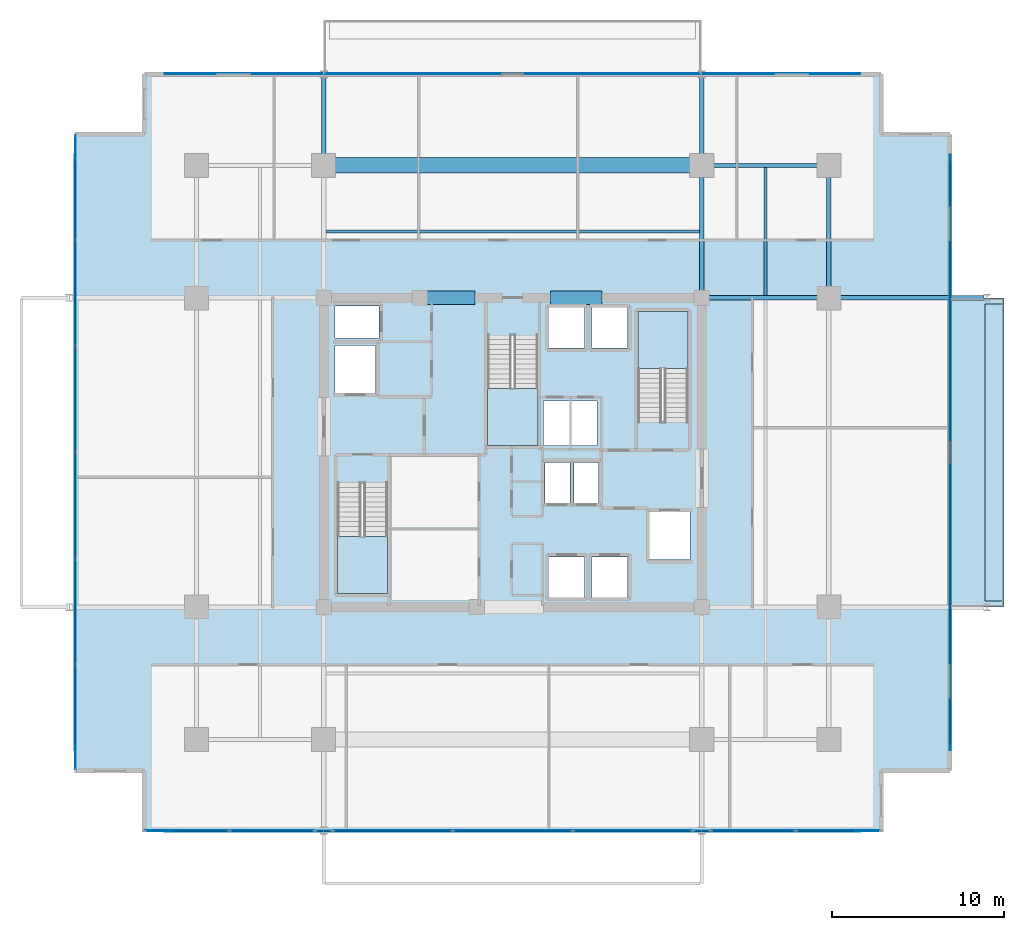
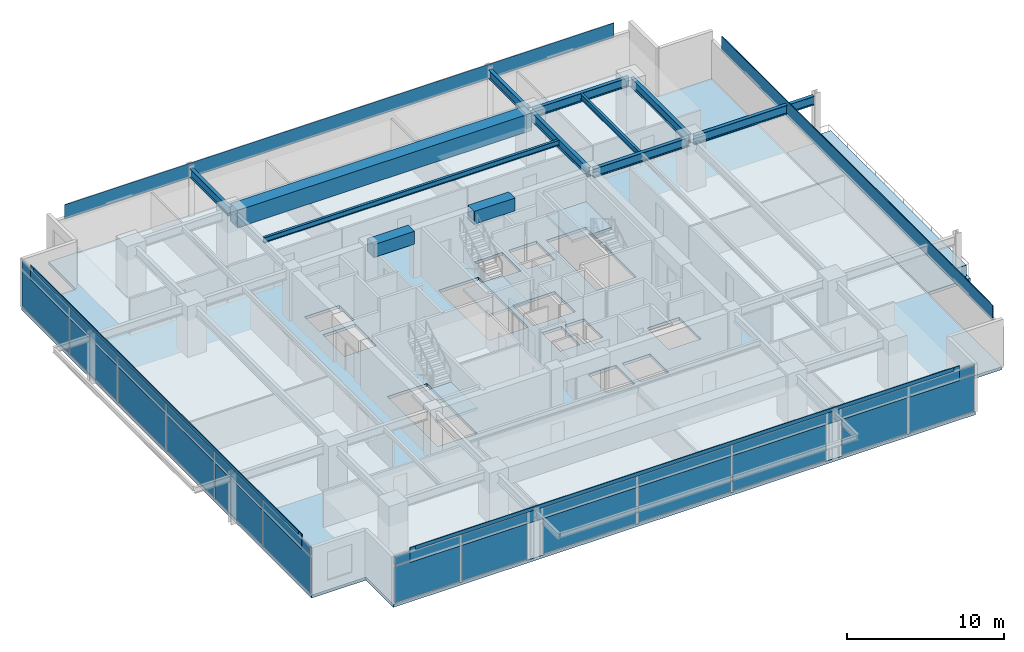
# One storey, part 13 of 21: 33 plates, 12 beams, 6 slabs, 7 elements without a shape of their own.
"""IFC4 building model written with IfcOpenShell, lengths in metres."""

from ifc_helpers import new_model, si_unit, direction, frame, origin, origin_2d, place, context, subcontext, project, spatial, polyline, rectangle, i_section, outline, extrude, material, layer, layer_set, material_profile, profile_set, type_object, element, aggregate, save


model = new_model("IFC4")

# Units and contexts
model_context = context("Model", 3, precision=1e-05, world=origin(), true_north=direction((0.0, 1.0)))
body_context = subcontext(model_context, "Body", "Model", "MODEL_VIEW")
ifc_project = project(units=[si_unit("LENGTHUNIT", "METRE"), si_unit("AREAUNIT", "SQUARE_METRE"), si_unit("VOLUMEUNIT", "CUBIC_METRE"), si_unit("PLANEANGLEUNIT", "RADIAN"), si_unit("MASSUNIT", "GRAM", prefix="KILO")], contexts=[model_context])

# Site, building, storey
site_placement = place(None, origin())
site = spatial("IfcSite", under=ifc_project, at=site_placement, CompositionType="ELEMENT")
building_placement = place(site_placement, origin())
building = spatial("IfcBuilding", under=site, at=building_placement, Name="Kovane Verandah Tower", CompositionType="ELEMENT")
storey_placement = place(building_placement, frame((0.0, 0.0, 217.199951171875)))
storey = spatial("IfcBuildingStorey", under=building, at=storey_placement, Name="L50", CompositionType="ELEMENT", Elevation=217.199951171875)

# Beams
ifc_material_1 = material(Name="Concrete C60/75", Category="concrete")
ifc_material_profile_1 = material_profile(ifc_material_1, rectangle(XDim=0.800048828125, YDim=1.0, at=origin_2d()), Name="RCB800x1000")
ifc_profile_set_1 = profile_set([ifc_material_profile_1], Name="Concrete C60/75")
beam_type_1 = type_object("IfcBeamType", Name="BM-LINTEL-800x1000", PredefinedType="LINTEL", material=ifc_profile_set_1)
for number, where, z_axis, x_axis, name in (
    (1, (34.800048828125, 36.5, 3.275146484375), (1.0, 0.0, 0.0), (0.0, 1.0, 0.0), "L50 Core Coupling Lintel CL-N1"),
    (2, (42.199951171875, 36.5, 3.275146484375), (1.0, 0.0, 0.0), (0.0, 1.0, 0.0), "L50 Core Coupling Lintel CL-N2"),
):
    element("IfcBeam", number, at=place(storey_placement, frame(where, z_axis=z_axis, x_axis=x_axis)), inside=storey, type_object=beam_type_1, Name=name, PredefinedType="LINTEL", context=body_context, shape_type="SweptSolid", body=[
        extrude(rectangle(XDim=0.800048828125, YDim=1.0, at=origin_2d()), origin(), (0.0, 0.0, 1.0), 3.0),
    ])
ifc_material_2 = material(Name="Concrete C80/95", Category="concrete")
ifc_material_profile_2 = material_profile(ifc_material_2, rectangle(XDim=0.89990234375, YDim=1.35009765625, at=origin_2d()), Name="RCB900x1350")
ifc_profile_set_2 = profile_set([ifc_material_profile_2], Name="Concrete C80/95")
beam_type_2 = type_object("IfcBeamType", Name="BM-TR-900x1350", PredefinedType="BEAM", material=ifc_profile_set_2)
beam_1_placement = place(storey_placement, frame((29.179931640625, 44.199951171875, 3.10009765625), z_axis=(1.0, 0.0, 0.0), x_axis=(0.0, 1.0, 0.0)))
element("IfcBeam", 3, at=beam_1_placement, inside=storey, type_object=beam_type_2, Name="L50 Primary Tower Girder G-RN2", PredefinedType="BEAM", context=body_context, shape_type="SweptSolid", body=[
    extrude(rectangle(XDim=0.89990234375, YDim=1.35009765625, at=origin_2d()), origin(), (0.0, 0.0, 1.0), 21.64013671875),
])
ifc_material_3 = material(Name="Steel S355", Category="steel")
ifc_material_profile_3 = material_profile(ifc_material_3, i_section(OverallWidth=0.255859375, OverallDepth=0.69287109375, WebThickness=0.014404296875, FlangeThickness=0.023681640625, FilletRadius=0.01513671875, at=origin_2d()), Name="UB686x254x170")
ifc_profile_set_3 = profile_set([ifc_material_profile_3], Name="Steel S355")
beam_type_3 = type_object("IfcBeamType", Name="BM-UB686x170", PredefinedType="BEAM", material=ifc_profile_set_3)
beam_2_placement = place(storey_placement, frame((51.179931640625, 44.199951171875, 3.428466796875), z_axis=(1.0, 0.0, 0.0), x_axis=(0.0, 1.0, 0.0)))
element("IfcBeam", 4, at=beam_2_placement, inside=storey, type_object=beam_type_3, Name="L50 Primary Tower Girder G-RN3", PredefinedType="BEAM", context=body_context, shape_type="SweptSolid", body=[
    extrude(i_section(OverallWidth=0.255859375, OverallDepth=0.69287109375, WebThickness=0.014404296875, FlangeThickness=0.023681640625, FilletRadius=0.01513671875, at=origin_2d()), origin(), (0.0, 0.0, 1.0), 7.0400390625),
])
beam_3_placement = place(storey_placement, frame((58.39990234375, 36.679931640625, 3.428466796875), z_axis=(0.0, 1.0, 0.0), x_axis=(-1.0, 0.0, 0.0)))
element("IfcBeam", 5, at=beam_3_placement, inside=storey, type_object=beam_type_3, Name="L50 Primary Tower Girder G-RE3", PredefinedType="BEAM", context=body_context, shape_type="SweptSolid", body=[
    extrude(i_section(OverallWidth=0.255859375, OverallDepth=0.69287109375, WebThickness=0.014404296875, FlangeThickness=0.023681640625, FilletRadius=0.01513671875, at=origin_2d()), origin(), (0.0, 0.0, 1.0), 7.340087890625),
])
beam_4_placement = place(storey_placement, frame((51.179931640625, 36.5, 3.428466796875), z_axis=(1.0, 0.0, 0.0), x_axis=(0.0, 1.0, 0.0)))
element("IfcBeam", 6, at=beam_4_placement, inside=storey, type_object=beam_type_3, Name="L50 Primary Tower Girder G-E2", PredefinedType="BEAM", context=body_context, shape_type="SweptSolid", body=[
    extrude(i_section(OverallWidth=0.255859375, OverallDepth=0.69287109375, WebThickness=0.014404296875, FlangeThickness=0.023681640625, FilletRadius=0.01513671875, at=origin_2d()), origin(), (0.0, 0.0, 1.0), 7.0400390625),
])
beam_5_placement = place(storey_placement, frame((51.0, 36.679931640625, 3.428466796875), z_axis=(0.0, 1.0, 0.0), x_axis=(-1.0, 0.0, 0.0)))
element("IfcBeam", 7, at=beam_5_placement, inside=storey, type_object=beam_type_3, Name="L50 Primary Tower Girder G-N2", PredefinedType="BEAM", context=body_context, shape_type="SweptSolid", body=[
    extrude(i_section(OverallWidth=0.255859375, OverallDepth=0.69287109375, WebThickness=0.014404296875, FlangeThickness=0.023681640625, FilletRadius=0.01513671875, at=origin_2d()), origin(), (0.0, 0.0, 1.0), 7.340087890625),
])
beam_6_placement = place(storey_placement, frame((58.580078125, 36.5, 3.41357421875), z_axis=(1.0, 0.0, 0.0), x_axis=(0.0, 1.0, 0.0)))
element("IfcBeam", 8, at=beam_6_placement, inside=storey, type_object=beam_type_3, Name="L50 Primary Tower Girder G-VE2", PredefinedType="BEAM", context=body_context, shape_type="SweptSolid", body=[
    extrude(i_section(OverallWidth=0.255859375, OverallDepth=0.69287109375, WebThickness=0.014404296875, FlangeThickness=0.023681640625, FilletRadius=0.01513671875, at=origin_2d()), origin(), (0.0, 0.0, 1.0), 8.83984375),
])
for number, where, z_axis, x_axis, name in (
    (9, (29.0, 44.3798828125, 3.41357421875), (0.0, 1.0, 0.0), (-1.0, 0.0, 0.0), "L50 Primary Tower Girder G-VN1"),
    (10, (51.0, 44.3798828125, 3.41357421875), (0.0, 1.0, 0.0), (-1.0, 0.0, 0.0), "L50 Primary Tower Girder G-VN2"),
):
    element("IfcBeam", number, at=place(storey_placement, frame(where, z_axis=z_axis, x_axis=x_axis)), inside=storey, type_object=beam_type_3, Name=name, PredefinedType="BEAM", context=body_context, shape_type="SweptSolid", body=[
        extrude(i_section(OverallWidth=0.255859375, OverallDepth=0.69287109375, WebThickness=0.014404296875, FlangeThickness=0.023681640625, FilletRadius=0.01513671875, at=origin_2d()), origin(), (0.0, 0.0, 1.0), 4.940185546875),
    ])
ifc_material_profile_4 = material_profile(ifc_material_3, i_section(OverallWidth=0.179443359375, OverallDepth=0.412841796875, WebThickness=0.009521484375, FlangeThickness=0.01611328125, FilletRadius=0.01025390625, at=origin_2d()), Name="UB406x178x74")
ifc_profile_set_4 = profile_set([ifc_material_profile_4], Name="Steel S355")
beam_type_4 = type_object("IfcBeamType", Name="JST-UB406x74", PredefinedType="JOIST", material=ifc_profile_set_4)
beam_7_placement = place(storey_placement, frame((29.1259765625, 40.35009765625, 3.568603515625), z_axis=(1.0, 0.0, 0.0), x_axis=(0.0, 1.0, 0.0)))
element("IfcBeam", 11, at=beam_7_placement, inside=storey, type_object=beam_type_4, Name="L50 Secondary Composite Joist J-N1", PredefinedType="JOIST", context=body_context, shape_type="SweptSolid", body=[
    extrude(i_section(OverallWidth=0.179443359375, OverallDepth=0.412841796875, WebThickness=0.009521484375, FlangeThickness=0.01611328125, FilletRadius=0.01025390625, at=origin_2d()), origin(), (0.0, 0.0, 1.0), 21.748046875),
])
beam_8_placement = place(storey_placement, frame((54.699951171875, 36.6259765625, 3.568603515625), z_axis=(0.0, 1.0, 0.0), x_axis=(-1.0, 0.0, 0.0)))
element("IfcBeam", 12, at=beam_8_placement, inside=storey, type_object=beam_type_4, Name="L50 Secondary Composite Joist J-NE1", PredefinedType="JOIST", context=body_context, shape_type="SweptSolid", body=[
    extrude(i_section(OverallWidth=0.179443359375, OverallDepth=0.412841796875, WebThickness=0.009521484375, FlangeThickness=0.01611328125, FilletRadius=0.01025390625, at=origin_2d()), origin(), (0.0, 0.0, 1.0), 7.4482421875),
])

# Curtain wall, plates
ifc_material_4 = material(Name="Champagne Anodised Aluminium Frame with Low-E Clear Laminated Glass", Category="aluminium")
curtain_wall_type = type_object("IfcCurtainWallType", Name="CW-SYS-03-MID", PredefinedType="NOTDEFINED", material=ifc_material_4)
curtain_wall_1_placement = place(storey_placement, origin())
curtain_wall_1 = element("IfcCurtainWall", 13, at=curtain_wall_1_placement, inside=storey, type_object=curtain_wall_type, Name="L50 S Unitised Curtain Wall-1", PredefinedType="NOTDEFINED")
ifc_material_5 = material(Name="Pale Champagne Anodised Aluminium Insulated Spandrel", Category="aluminium")
ifc_layer_1 = layer(ifc_material_5, 0.0400390625)
ifc_layer_set_1 = layer_set([ifc_layer_1], Name="Pale Champagne Anodised Aluminium Insulated Spandrel")
plate_type_1 = type_object("IfcPlateType", Name="PL-CW-SPD-40", PredefinedType="SHEET", material=ifc_layer_set_1)
plate_1_placement = place(storey_placement, frame((21.0419921875, 5.485595703125, 3.044921875), z_axis=(0.0, 0.0, 1.0), x_axis=(1.0, 0.0, 0.0)))
plate_1 = element("IfcPlate", 14, at=plate_1_placement, type_object=plate_type_1, Name="L50 S Unitised Curtain Wall-1 Spandrel Panel 1", PredefinedType="SHEET", context=body_context, shape_type="SweptSolid", body=[
    extrude(rectangle(XDim=4.818603515625, YDim=0.0400390625, at=origin_2d()), origin(), (0.0, 0.0, 1.0), 0.639892578125),
])
plate_2_placement = place(storey_placement, frame((26.000732421875, 5.485595703125, 3.044921875), z_axis=(0.0, 0.0, 1.0), x_axis=(1.0, 0.0, 0.0)))
plate_2 = element("IfcPlate", 15, at=plate_2_placement, type_object=plate_type_1, Name="L50 S Unitised Curtain Wall-1 Spandrel Panel 2", PredefinedType="SHEET", context=body_context, shape_type="SweptSolid", body=[
    extrude(rectangle(XDim=4.818603515625, YDim=0.0400390625, at=origin_2d()), origin(), (0.0, 0.0, 1.0), 0.639892578125),
])

curtain_wall_2_placement = place(storey_placement, origin())
curtain_wall_2 = element("IfcCurtainWall", 16, at=curtain_wall_2_placement, inside=storey, type_object=curtain_wall_type, Name="L50 S Unitised Curtain Wall-2", PredefinedType="NOTDEFINED")
plate_3_placement = place(storey_placement, frame((33.01318359375, 5.485595703125, 3.044921875), z_axis=(0.0, 0.0, 1.0), x_axis=(1.0, 0.0, 0.0)))
plate_3 = element("IfcPlate", 17, at=plate_3_placement, type_object=plate_type_1, Name="L50 S Unitised Curtain Wall-2 Spandrel Panel 1", PredefinedType="SHEET", context=body_context, shape_type="SweptSolid", body=[
    extrude(rectangle(XDim=6.8466796875, YDim=0.0400390625, at=origin_2d()), origin(), (0.0, 0.0, 1.0), 0.639892578125),
])
plate_4_placement = place(storey_placement, frame((40.0, 5.485595703125, 3.044921875), z_axis=(0.0, 0.0, 1.0), x_axis=(1.0, 0.0, 0.0)))
plate_4 = element("IfcPlate", 18, at=plate_4_placement, type_object=plate_type_1, Name="L50 S Unitised Curtain Wall-2 Spandrel Panel 2", PredefinedType="SHEET", context=body_context, shape_type="SweptSolid", body=[
    extrude(rectangle(XDim=6.8466796875, YDim=0.0400390625, at=origin_2d()), origin(), (0.0, 0.0, 1.0), 0.639892578125),
])
plate_5_placement = place(storey_placement, frame((46.98681640625, 5.485595703125, 3.044921875), z_axis=(0.0, 0.0, 1.0), x_axis=(1.0, 0.0, 0.0)))
plate_5 = element("IfcPlate", 19, at=plate_5_placement, type_object=plate_type_1, Name="L50 S Unitised Curtain Wall-2 Spandrel Panel 3", PredefinedType="SHEET", context=body_context, shape_type="SweptSolid", body=[
    extrude(rectangle(XDim=6.8466796875, YDim=0.0400390625, at=origin_2d()), origin(), (0.0, 0.0, 1.0), 0.639892578125),
])

curtain_wall_3_placement = place(storey_placement, origin())
curtain_wall_3 = element("IfcCurtainWall", 20, at=curtain_wall_3_placement, inside=storey, type_object=curtain_wall_type, Name="L50 S Unitised Curtain Wall-3", PredefinedType="NOTDEFINED")
plate_6_placement = place(storey_placement, frame((53.99951171875, 5.485595703125, 3.044921875), z_axis=(0.0, 0.0, 1.0), x_axis=(1.0, 0.0, 0.0)))
plate_6 = element("IfcPlate", 21, at=plate_6_placement, type_object=plate_type_1, Name="L50 S Unitised Curtain Wall-3 Spandrel Panel 1", PredefinedType="SHEET", context=body_context, shape_type="SweptSolid", body=[
    extrude(rectangle(XDim=4.818603515625, YDim=0.0400390625, at=origin_2d()), origin(), (0.0, 0.0, 1.0), 0.639892578125),
])
plate_7_placement = place(storey_placement, frame((58.9580078125, 5.485595703125, 3.044921875), z_axis=(0.0, 0.0, 1.0), x_axis=(1.0, 0.0, 0.0)))
plate_7 = element("IfcPlate", 22, at=plate_7_placement, type_object=plate_type_1, Name="L50 S Unitised Curtain Wall-3 Spandrel Panel 2", PredefinedType="SHEET", context=body_context, shape_type="SweptSolid", body=[
    extrude(rectangle(XDim=4.818603515625, YDim=0.0400390625, at=origin_2d()), origin(), (0.0, 0.0, 1.0), 0.639892578125),
])

curtain_wall_4_placement = place(storey_placement, origin())
curtain_wall_4 = element("IfcCurtainWall", 23, at=curtain_wall_4_placement, inside=storey, type_object=curtain_wall_type, Name="L50 W Unitised Curtain Wall", PredefinedType="NOTDEFINED")
plate_8_placement = place(storey_placement, frame((14.5625, 42.9287109375, 3.044921875), z_axis=(0.0, 0.0, 1.0), x_axis=(0.0, -1.0, 0.0)))
plate_8 = element("IfcPlate", 24, at=plate_8_placement, type_object=plate_type_1, Name="L50 W Unitised Curtain Wall Spandrel Panel 1", PredefinedType="SHEET", context=body_context, shape_type="SweptSolid", body=[
    extrude(rectangle(XDim=6.031494140625, YDim=0.0400390625, at=origin_2d()), origin(), (0.0, 0.0, 1.0), 0.639892578125),
])
plate_9_placement = place(storey_placement, frame((14.5625, 36.757080078125, 3.044921875), z_axis=(0.0, 0.0, 1.0), x_axis=(0.0, -1.0, 0.0)))
plate_9 = element("IfcPlate", 25, at=plate_9_placement, type_object=plate_type_1, Name="L50 W Unitised Curtain Wall Spandrel Panel 2", PredefinedType="SHEET", context=body_context, shape_type="SweptSolid", body=[
    extrude(rectangle(XDim=6.031494140625, YDim=0.0400390625, at=origin_2d()), origin(), (0.0, 0.0, 1.0), 0.639892578125),
])
plate_10_placement = place(storey_placement, frame((14.5625, 30.585693359375, 3.044921875), z_axis=(0.0, 0.0, 1.0), x_axis=(0.0, -1.0, 0.0)))
plate_10 = element("IfcPlate", 26, at=plate_10_placement, type_object=plate_type_1, Name="L50 W Unitised Curtain Wall Spandrel Panel 3", PredefinedType="SHEET", context=body_context, shape_type="SweptSolid", body=[
    extrude(rectangle(XDim=6.031494140625, YDim=0.0400390625, at=origin_2d()), origin(), (0.0, 0.0, 1.0), 0.639892578125),
])
plate_11_placement = place(storey_placement, frame((14.5625, 24.414306640625, 3.044921875), z_axis=(0.0, 0.0, 1.0), x_axis=(0.0, -1.0, 0.0)))
plate_11 = element("IfcPlate", 27, at=plate_11_placement, type_object=plate_type_1, Name="L50 W Unitised Curtain Wall Spandrel Panel 4", PredefinedType="SHEET", context=body_context, shape_type="SweptSolid", body=[
    extrude(rectangle(XDim=6.031494140625, YDim=0.0400390625, at=origin_2d()), origin(), (0.0, 0.0, 1.0), 0.639892578125),
])
plate_12_placement = place(storey_placement, frame((14.5625, 18.242919921875, 3.044921875), z_axis=(0.0, 0.0, 1.0), x_axis=(0.0, -1.0, 0.0)))
plate_12 = element("IfcPlate", 28, at=plate_12_placement, type_object=plate_type_1, Name="L50 W Unitised Curtain Wall Spandrel Panel 5", PredefinedType="SHEET", context=body_context, shape_type="SweptSolid", body=[
    extrude(rectangle(XDim=6.031494140625, YDim=0.0400390625, at=origin_2d()), origin(), (0.0, 0.0, 1.0), 0.639892578125),
])
plate_13_placement = place(storey_placement, frame((14.5625, 12.0712890625, 3.044921875), z_axis=(0.0, 0.0, 1.0), x_axis=(0.0, -1.0, 0.0)))
plate_13 = element("IfcPlate", 29, at=plate_13_placement, type_object=plate_type_1, Name="L50 W Unitised Curtain Wall Spandrel Panel 6", PredefinedType="SHEET", context=body_context, shape_type="SweptSolid", body=[
    extrude(rectangle(XDim=6.031494140625, YDim=0.0400390625, at=origin_2d()), origin(), (0.0, 0.0, 1.0), 0.639892578125),
])

# Plate
ifc_material_6 = material(Name="Clear Low-E Laminated Double Glazing", Category="glass")
ifc_layer_2 = layer(ifc_material_6, 0.031982421875)
ifc_layer_set_2 = layer_set([ifc_layer_2], Name="Clear Low-E Laminated Double Glazing")
plate_type_2 = type_object("IfcPlateType", Name="PL-CW-VIS-32", PredefinedType="CURTAIN_PANEL", material=ifc_layer_set_2)
plate_14_placement = place(storey_placement, frame((21.0419921875, 5.485595703125, 0.10009765625), z_axis=(0.0, 0.0, 1.0), x_axis=(1.0, 0.0, 0.0)))
plate_14 = element("IfcPlate", 30, at=plate_14_placement, type_object=plate_type_2, Name="L50 S Unitised Curtain Wall-1 Vision Panel 1", PredefinedType="CURTAIN_PANEL", context=body_context, shape_type="SweptSolid", body=[
    extrude(rectangle(XDim=4.818603515625, YDim=0.031982421875, at=origin_2d()), origin(), (0.0, 0.0, 1.0), 2.844970703125),
])

plate_15_placement = place(storey_placement, frame((26.000732421875, 5.485595703125, 0.10009765625), z_axis=(0.0, 0.0, 1.0), x_axis=(1.0, 0.0, 0.0)))
plate_15 = element("IfcPlate", 31, at=plate_15_placement, type_object=plate_type_2, Name="L50 S Unitised Curtain Wall-1 Vision Panel 2", PredefinedType="CURTAIN_PANEL", context=body_context, shape_type="SweptSolid", body=[
    extrude(rectangle(XDim=4.818603515625, YDim=0.031982421875, at=origin_2d()), origin(), (0.0, 0.0, 1.0), 2.844970703125),
])

aggregate(curtain_wall_1, [plate_14, plate_1, plate_15, plate_2])

plate_16_placement = place(storey_placement, frame((33.01318359375, 5.485595703125, 0.10009765625), z_axis=(0.0, 0.0, 1.0), x_axis=(1.0, 0.0, 0.0)))
plate_16 = element("IfcPlate", 32, at=plate_16_placement, type_object=plate_type_2, Name="L50 S Unitised Curtain Wall-2 Vision Panel 1", PredefinedType="CURTAIN_PANEL", context=body_context, shape_type="SweptSolid", body=[
    extrude(rectangle(XDim=6.8466796875, YDim=0.031982421875, at=origin_2d()), origin(), (0.0, 0.0, 1.0), 2.844970703125),
])

plate_17_placement = place(storey_placement, frame((40.0, 5.485595703125, 0.10009765625), z_axis=(0.0, 0.0, 1.0), x_axis=(1.0, 0.0, 0.0)))
plate_17 = element("IfcPlate", 33, at=plate_17_placement, type_object=plate_type_2, Name="L50 S Unitised Curtain Wall-2 Vision Panel 2", PredefinedType="CURTAIN_PANEL", context=body_context, shape_type="SweptSolid", body=[
    extrude(rectangle(XDim=6.8466796875, YDim=0.031982421875, at=origin_2d()), origin(), (0.0, 0.0, 1.0), 2.844970703125),
])

plate_18_placement = place(storey_placement, frame((46.98681640625, 5.485595703125, 0.10009765625), z_axis=(0.0, 0.0, 1.0), x_axis=(1.0, 0.0, 0.0)))
plate_18 = element("IfcPlate", 34, at=plate_18_placement, type_object=plate_type_2, Name="L50 S Unitised Curtain Wall-2 Vision Panel 3", PredefinedType="CURTAIN_PANEL", context=body_context, shape_type="SweptSolid", body=[
    extrude(rectangle(XDim=6.8466796875, YDim=0.031982421875, at=origin_2d()), origin(), (0.0, 0.0, 1.0), 2.844970703125),
])

aggregate(curtain_wall_2, [plate_16, plate_3, plate_17, plate_4, plate_18, plate_5])

plate_19_placement = place(storey_placement, frame((53.99951171875, 5.485595703125, 0.10009765625), z_axis=(0.0, 0.0, 1.0), x_axis=(1.0, 0.0, 0.0)))
plate_19 = element("IfcPlate", 35, at=plate_19_placement, type_object=plate_type_2, Name="L50 S Unitised Curtain Wall-3 Vision Panel 1", PredefinedType="CURTAIN_PANEL", context=body_context, shape_type="SweptSolid", body=[
    extrude(rectangle(XDim=4.818603515625, YDim=0.031982421875, at=origin_2d()), origin(), (0.0, 0.0, 1.0), 2.844970703125),
])

plate_20_placement = place(storey_placement, frame((58.9580078125, 5.485595703125, 0.10009765625), z_axis=(0.0, 0.0, 1.0), x_axis=(1.0, 0.0, 0.0)))
plate_20 = element("IfcPlate", 36, at=plate_20_placement, type_object=plate_type_2, Name="L50 S Unitised Curtain Wall-3 Vision Panel 2", PredefinedType="CURTAIN_PANEL", context=body_context, shape_type="SweptSolid", body=[
    extrude(rectangle(XDim=4.818603515625, YDim=0.031982421875, at=origin_2d()), origin(), (0.0, 0.0, 1.0), 2.844970703125),
])

aggregate(curtain_wall_3, [plate_19, plate_6, plate_20, plate_7])

plate_21_placement = place(storey_placement, frame((14.5625, 42.9287109375, 0.10009765625), z_axis=(0.0, 0.0, 1.0), x_axis=(0.0, -1.0, 0.0)))
plate_21 = element("IfcPlate", 37, at=plate_21_placement, type_object=plate_type_2, Name="L50 W Unitised Curtain Wall Vision Panel 1", PredefinedType="CURTAIN_PANEL", context=body_context, shape_type="SweptSolid", body=[
    extrude(rectangle(XDim=6.031494140625, YDim=0.031982421875, at=origin_2d()), origin(), (0.0, 0.0, 1.0), 2.844970703125),
])

plate_22_placement = place(storey_placement, frame((14.5625, 36.757080078125, 0.10009765625), z_axis=(0.0, 0.0, 1.0), x_axis=(0.0, -1.0, 0.0)))
plate_22 = element("IfcPlate", 38, at=plate_22_placement, type_object=plate_type_2, Name="L50 W Unitised Curtain Wall Vision Panel 2", PredefinedType="CURTAIN_PANEL", context=body_context, shape_type="SweptSolid", body=[
    extrude(rectangle(XDim=6.031494140625, YDim=0.031982421875, at=origin_2d()), origin(), (0.0, 0.0, 1.0), 2.844970703125),
])

plate_23_placement = place(storey_placement, frame((14.5625, 30.585693359375, 0.10009765625), z_axis=(0.0, 0.0, 1.0), x_axis=(0.0, -1.0, 0.0)))
plate_23 = element("IfcPlate", 39, at=plate_23_placement, type_object=plate_type_2, Name="L50 W Unitised Curtain Wall Vision Panel 3", PredefinedType="CURTAIN_PANEL", context=body_context, shape_type="SweptSolid", body=[
    extrude(rectangle(XDim=6.031494140625, YDim=0.031982421875, at=origin_2d()), origin(), (0.0, 0.0, 1.0), 2.844970703125),
])

plate_24_placement = place(storey_placement, frame((14.5625, 24.414306640625, 0.10009765625), z_axis=(0.0, 0.0, 1.0), x_axis=(0.0, -1.0, 0.0)))
plate_24 = element("IfcPlate", 40, at=plate_24_placement, type_object=plate_type_2, Name="L50 W Unitised Curtain Wall Vision Panel 4", PredefinedType="CURTAIN_PANEL", context=body_context, shape_type="SweptSolid", body=[
    extrude(rectangle(XDim=6.031494140625, YDim=0.031982421875, at=origin_2d()), origin(), (0.0, 0.0, 1.0), 2.844970703125),
])

plate_25_placement = place(storey_placement, frame((14.5625, 18.242919921875, 0.10009765625), z_axis=(0.0, 0.0, 1.0), x_axis=(0.0, -1.0, 0.0)))
plate_25 = element("IfcPlate", 41, at=plate_25_placement, type_object=plate_type_2, Name="L50 W Unitised Curtain Wall Vision Panel 5", PredefinedType="CURTAIN_PANEL", context=body_context, shape_type="SweptSolid", body=[
    extrude(rectangle(XDim=6.031494140625, YDim=0.031982421875, at=origin_2d()), origin(), (0.0, 0.0, 1.0), 2.844970703125),
])

plate_26_placement = place(storey_placement, frame((14.5625, 12.0712890625, 0.10009765625), z_axis=(0.0, 0.0, 1.0), x_axis=(0.0, -1.0, 0.0)))
plate_26 = element("IfcPlate", 42, at=plate_26_placement, type_object=plate_type_2, Name="L50 W Unitised Curtain Wall Vision Panel 6", PredefinedType="CURTAIN_PANEL", context=body_context, shape_type="SweptSolid", body=[
    extrude(rectangle(XDim=6.031494140625, YDim=0.031982421875, at=origin_2d()), origin(), (0.0, 0.0, 1.0), 2.844970703125),
])

aggregate(curtain_wall_4, [plate_21, plate_8, plate_22, plate_9, plate_23, plate_10, plate_24, plate_11, plate_25, plate_12, plate_26, plate_13])

# Plates
ifc_material_7 = material(Name="Perforated Pale Champagne Anodised Aluminium Solar Screen", Category="aluminium")
ifc_layer_3 = layer(ifc_material_7, 0.050048828125)
ifc_layer_set_3 = layer_set([ifc_layer_3], Name="Perforated Pale Champagne Anodised Aluminium Solar Screen")
plate_type_3 = type_object("IfcPlateType", Name="PL-SCREEN-50", PredefinedType="USERDEFINED", material=ifc_layer_set_3)
plate_27_placement = place(storey_placement, frame((40.0, 5.470703125, 2.875), z_axis=(0.0, 0.0, 1.0), x_axis=(1.0, 0.0, 0.0)))
element("IfcPlate", 43, at=plate_27_placement, inside=storey, type_object=plate_type_3, Name="L50 S Perforated Champagne-Gold Solar Screen", ObjectType="SCREEN", PredefinedType="USERDEFINED", context=body_context, shape_type="SweptSolid", body=[
    extrude(rectangle(XDim=40.47509765625, YDim=0.050048828125, at=origin_2d()), origin(), (0.0, 0.0, 1.0), 1.14990234375),
])
plate_28_placement = place(storey_placement, frame((65.452392578125, 27.5, 2.875), z_axis=(0.0, 0.0, 1.0), x_axis=(0.0, 1.0, 0.0)))
element("IfcPlate", 44, at=plate_28_placement, inside=storey, type_object=plate_type_3, Name="L50 E Perforated Champagne-Gold Solar Screen", ObjectType="SCREEN", PredefinedType="USERDEFINED", context=body_context, shape_type="SweptSolid", body=[
    extrude(rectangle(XDim=34.62890625, YDim=0.050048828125, at=origin_2d()), origin(), (0.0, 0.0, 1.0), 1.14990234375),
])
plate_29_placement = place(storey_placement, frame((40.0, 49.529296875, 2.875), z_axis=(0.0, 0.0, 1.0), x_axis=(-1.0, 0.0, 0.0)))
element("IfcPlate", 45, at=plate_29_placement, inside=storey, type_object=plate_type_3, Name="L50 N Perforated Champagne-Gold Solar Screen", ObjectType="SCREEN", PredefinedType="USERDEFINED", context=body_context, shape_type="SweptSolid", body=[
    extrude(rectangle(XDim=40.47509765625, YDim=0.050048828125, at=origin_2d()), origin(), (0.0, 0.0, 1.0), 1.14990234375),
])
plate_30_placement = place(storey_placement, frame((14.547607421875, 27.5, 2.875), z_axis=(0.0, 0.0, 1.0), x_axis=(0.0, -1.0, 0.0)))
element("IfcPlate", 46, at=plate_30_placement, inside=storey, type_object=plate_type_3, Name="L50 W Perforated Champagne-Gold Solar Screen", ObjectType="SCREEN", PredefinedType="USERDEFINED", context=body_context, shape_type="SweptSolid", body=[
    extrude(rectangle(XDim=34.62890625, YDim=0.050048828125, at=origin_2d()), origin(), (0.0, 0.0, 1.0), 1.14990234375),
])
ifc_material_8 = material(Name="Extruded Pale-Bronze Aluminium Aerofoil Sunshade", Category="aluminium")
ifc_layer_4 = layer(ifc_material_8, 0.06005859375)
ifc_layer_set_4 = layer_set([ifc_layer_4], Name="Extruded Pale-Bronze Aluminium Aerofoil Sunshade")
plate_type_4 = type_object("IfcPlateType", Name="PL-SUNSHADE-60", PredefinedType="USERDEFINED", material=ifc_layer_set_4)
plate_31_placement = place(storey_placement, frame((40.0, 5.4658203125, 3.7548828125), z_axis=(0.0, 0.0, 1.0), x_axis=(1.0, 0.0, 0.0)))
element("IfcPlate", 47, at=plate_31_placement, inside=storey, type_object=plate_type_4, Name="L50 S Subtropical Aerofoil Sunshade", ObjectType="SUNSHADE", PredefinedType="USERDEFINED", context=body_context, shape_type="SweptSolid", body=[
    extrude(rectangle(XDim=39.675048828125, YDim=0.06005859375, at=origin_2d()), origin(), (0.0, 0.0, 1.0), 0.280029296875),
])
for number, where, z_axis, x_axis, name in (
    (48, (65.45751953125, 27.5, 3.7548828125), (0.0, 0.0, 1.0), (0.0, 1.0, 0.0), "L50 E Subtropical Aerofoil Sunshade"),
    (49, (14.54248046875, 27.5, 3.7548828125), (0.0, 0.0, 1.0), (0.0, -1.0, 0.0), "L50 W Subtropical Aerofoil Sunshade"),
):
    element("IfcPlate", number, at=place(storey_placement, frame(where, z_axis=z_axis, x_axis=x_axis)), inside=storey, type_object=plate_type_4, Name=name, ObjectType="SUNSHADE", PredefinedType="USERDEFINED", context=body_context, shape_type="SweptSolid", body=[
        extrude(rectangle(XDim=33.8291015625, YDim=0.06005859375, at=origin_2d()), origin(), (0.0, 0.0, 1.0), 0.280029296875),
    ])

# Slab
ifc_material_9 = material(Name="Concrete C45/55", Category="concrete")
ifc_layer_5 = layer(ifc_material_9, 0.239990234375)
ifc_layer_set_5 = layer_set([ifc_layer_5], Name="Concrete C45/55")
slab_type_1 = type_object("IfcSlabType", Name="SL-BALC-240", PredefinedType="FLOOR", material=ifc_layer_set_5)
slab_1_placement = place(storey_placement, frame((0.0, 0.0, -0.239990234375)))
element("IfcSlab", 50, at=slab_1_placement, inside=storey, type_object=slab_type_1, Name="L50 E Planted Verandah Balcony Slab", PredefinedType="FLOOR", context=body_context, shape_type="SweptSolid", body=[
    extrude(outline(polyline([(65.4375, 18.5), (68.58740234375, 18.5), (68.58740234375, 36.5), (65.4375, 36.5), (65.4375, 18.5)])), origin(), (0.0, 0.0, 1.0), 0.239990234375),
])

# Stair, slab
stair_type = type_object("IfcStairType", Name="ST-CORE-1380", PredefinedType="HALF_TURN_STAIR", material=ifc_material_9)
stair_1_placement = place(storey_placement, origin())
stair_1 = element("IfcStair", 51, at=stair_1_placement, inside=storey, type_object=stair_type, Name="L50 Exit Stair ST-01", PredefinedType="HALF_TURN_STAIR")
ifc_layer_6 = layer(ifc_material_9, 0.199951171875)
ifc_layer_set_6 = layer_set([ifc_layer_6], Name="Concrete C45/55")
slab_type_2 = type_object("IfcSlabType", Name="SL-LAND-200", PredefinedType="LANDING", material=ifc_layer_set_6)
slab_2_placement = place(storey_placement, frame((0.0, 0.0, 1.800048828125)))
slab_2 = element("IfcSlab", 52, at=slab_2_placement, type_object=slab_type_2, Name="ST-01 landing 1", PredefinedType="LANDING", context=body_context, shape_type="SweptSolid", body=[
    extrude(outline(polyline([(29.800048828125, 22.614990234375), (29.800048828125, 19.300048828125), (32.719970703125, 19.300048828125), (32.719970703125, 22.614990234375), (29.800048828125, 22.614990234375)])), origin(), (0.0, 0.0, 1.0), 0.199951171875),
])
aggregate(stair_1, [slab_2])

stair_2_placement = place(storey_placement, origin())
stair_2 = element("IfcStair", 53, at=stair_2_placement, inside=storey, type_object=stair_type, Name="L50 Exit Stair ST-02", PredefinedType="HALF_TURN_STAIR")
slab_3_placement = place(storey_placement, frame((0.0, 0.0, 1.800048828125)))
slab_3 = element("IfcSlab", 54, at=slab_3_placement, type_object=slab_type_2, Name="ST-02 landing 1", PredefinedType="LANDING", context=body_context, shape_type="SweptSolid", body=[
    extrude(outline(polyline([(50.199951171875, 32.385009765625), (50.199951171875, 35.699951171875), (47.280029296875, 35.699951171875), (47.280029296875, 32.385009765625), (50.199951171875, 32.385009765625)])), origin(), (0.0, 0.0, 1.0), 0.199951171875),
])
aggregate(stair_2, [slab_3])

stair_3_placement = place(storey_placement, origin())
stair_3 = element("IfcStair", 55, at=stair_3_placement, inside=storey, type_object=stair_type, Name="L50 Exit Stair ST-03", PredefinedType="HALF_TURN_STAIR")
slab_4_placement = place(storey_placement, frame((0.0, 0.0, 1.800048828125)))
slab_4 = element("IfcSlab", 56, at=slab_4_placement, type_object=slab_type_2, Name="ST-03 landing 1", PredefinedType="LANDING", context=body_context, shape_type="SweptSolid", body=[
    extrude(outline(polyline([(38.5400390625, 31.215087890625), (38.5400390625, 27.89990234375), (41.4599609375, 27.89990234375), (41.4599609375, 31.215087890625), (38.5400390625, 31.215087890625)])), origin(), (0.0, 0.0, 1.0), 0.199951171875),
])
aggregate(stair_3, [slab_4])

# Slabs
ifc_layer_7 = layer(ifc_material_9, 0.22509765625)
ifc_layer_set_7 = layer_set([ifc_layer_7], Name="Concrete C45/55")
slab_type_3 = type_object("IfcSlabType", Name="SL-MID-225", PredefinedType="FLOOR", material=ifc_layer_set_7)
slab_5_placement = place(storey_placement, frame((0.0, 0.0, -0.224853515625)))
element("IfcSlab", 57, at=slab_5_placement, inside=storey, type_object=slab_type_3, Name="L50 Structural Floor Slab", PredefinedType="FLOOR", context=body_context, shape_type="SweptSolid", body=[
    extrude(outline(polyline([(18.5625, 5.485595703125), (61.4375, 5.485595703125), (61.4375, 8.985595703125), (65.4375, 8.985595703125), (65.4375, 46.014404296875), (61.4375, 46.014404296875), (61.4375, 49.514404296875), (18.5625, 49.514404296875), (18.5625, 46.014404296875), (14.5625, 46.014404296875), (14.5625, 8.985595703125), (18.5625, 8.985595703125), (18.5625, 5.485595703125)]), holes=[polyline([(29.800048828125, 19.300048828125), (32.719970703125, 19.300048828125), (32.719970703125, 25.705078125), (29.800048828125, 25.705078125), (29.800048828125, 19.300048828125)]), polyline([(47.280029296875, 29.294921875), (50.199951171875, 29.294921875), (50.199951171875, 35.699951171875), (47.280029296875, 35.699951171875), (47.280029296875, 29.294921875)]), polyline([(38.5400390625, 27.89990234375), (41.4599609375, 27.89990234375), (41.4599609375, 34.304931640625), (38.5400390625, 34.304931640625), (38.5400390625, 27.89990234375)]), polyline([(29.669921875, 30.969970703125), (32.030029296875, 30.969970703125), (32.030029296875, 33.72998046875), (29.669921875, 33.72998046875), (29.669921875, 30.969970703125)]), polyline([(47.969970703125, 21.27001953125), (50.330078125, 21.27001953125), (50.330078125, 24.030029296875), (47.969970703125, 24.030029296875), (47.969970703125, 21.27001953125)]), polyline([(29.669921875, 34.169921875), (32.22998046875, 34.169921875), (32.22998046875, 36.030029296875), (29.669921875, 36.030029296875), (29.669921875, 34.169921875)]), polyline([(42.1201171875, 19.070068359375), (44.179931640625, 19.070068359375), (44.179931640625, 21.429931640625), (42.1201171875, 21.429931640625), (42.1201171875, 19.070068359375)]), polyline([(44.6201171875, 19.070068359375), (46.679931640625, 19.070068359375), (46.679931640625, 21.429931640625), (44.6201171875, 21.429931640625), (44.6201171875, 19.070068359375)]), polyline([(41.8798828125, 24.570068359375), (43.320068359375, 24.570068359375), (43.320068359375, 26.929931640625), (41.8798828125, 26.929931640625), (41.8798828125, 24.570068359375)]), polyline([(43.580078125, 24.570068359375), (45.0, 24.570068359375), (45.0, 26.929931640625), (43.580078125, 26.929931640625), (43.580078125, 24.570068359375)]), polyline([(42.1201171875, 33.570068359375), (44.179931640625, 33.570068359375), (44.179931640625, 35.929931640625), (42.1201171875, 35.929931640625), (42.1201171875, 33.570068359375)]), polyline([(44.6201171875, 33.570068359375), (46.679931640625, 33.570068359375), (46.679931640625, 35.929931640625), (44.6201171875, 35.929931640625), (44.6201171875, 33.570068359375)]), polyline([(41.800048828125, 27.89990234375), (44.89990234375, 27.89990234375), (44.89990234375, 30.5), (41.800048828125, 30.5), (41.800048828125, 27.89990234375)])]), origin(), (0.0, 0.0, 1.0), 0.224853515625),
])
ifc_material_10 = material(Name="Architectural Precast Concrete C45/55 Planter Trough", Category="concrete")
ifc_layer_8 = layer(ifc_material_10, 0.219970703125)
ifc_layer_set_8 = layer_set([ifc_layer_8], Name="Architectural Precast Concrete C45/55 Planter Trough")
slab_type_4 = type_object("IfcSlabType", Name="SL-PLANTER-220", PredefinedType="USERDEFINED", material=ifc_layer_set_8)
slab_6_placement = place(storey_placement, origin())
element("IfcSlab", 58, at=slab_6_placement, inside=storey, type_object=slab_type_4, Name="L50 E Structural Tree Planter", ObjectType="PLANTER", PredefinedType="USERDEFINED", context=body_context, shape_type="SweptSolid", body=[
    extrude(outline(polyline([(67.4873046875, 18.85009765625), (68.4873046875, 18.85009765625), (68.4873046875, 36.14990234375), (67.4873046875, 36.14990234375), (67.4873046875, 18.85009765625)])), origin(), (0.0, 0.0, 1.0), 0.85009765625),
])

save(model, "model.ifc")
